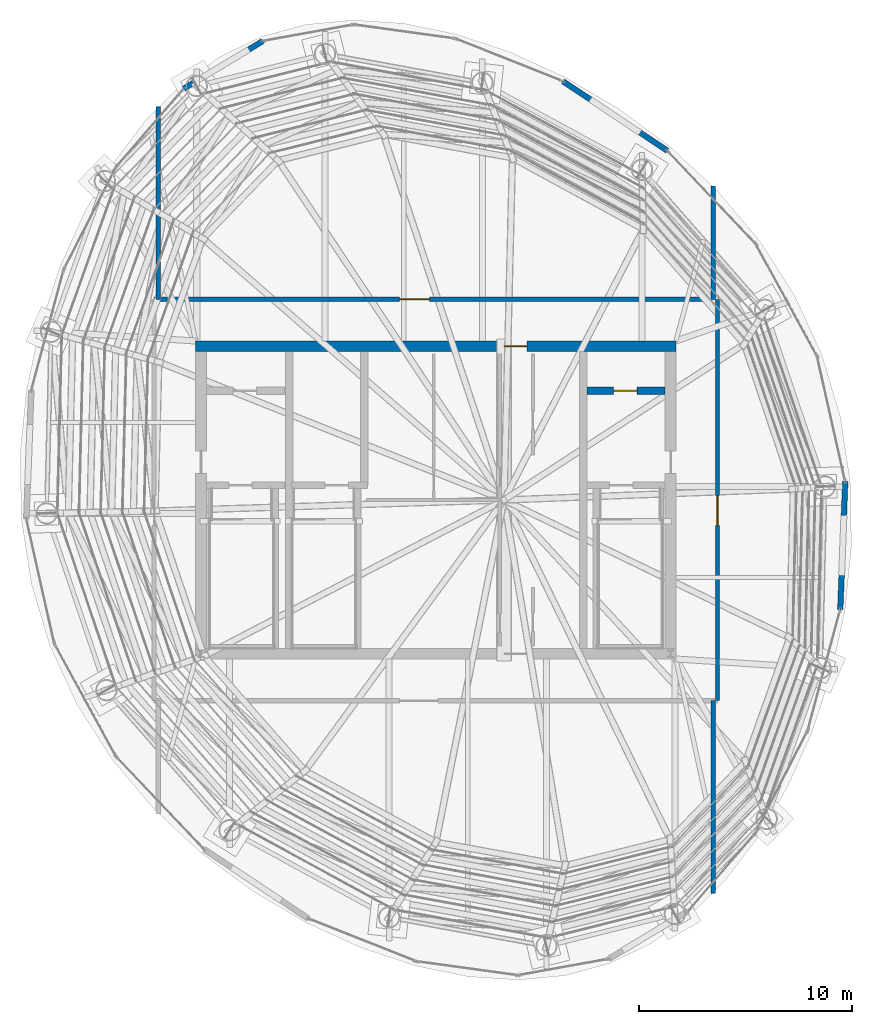
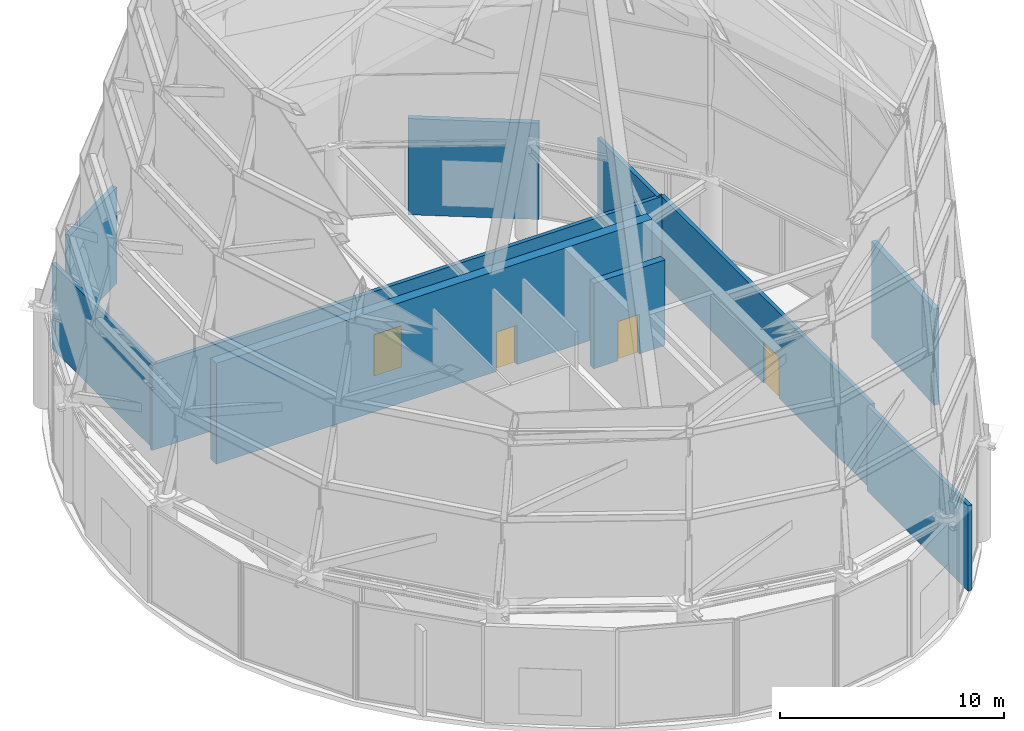
# One storey, part 39 of 40: 10 walls, 4 doors, 4 openings.
"""IFC4 building model written with IfcOpenShell, lengths in metres."""

from ifc_helpers import new_model, si_unit, direction, frame, frame_2d, origin, place, context, subcontext, project, spatial, rectangle, extrude, material, layer, layer_set, type_object, element, fill, save


model = new_model("IFC4")

# Units and contexts
model_context = context("Model", 3, precision=1e-05, world=origin(), true_north=direction((0.0, 1.0)))
body_context = subcontext(model_context, "Body", "Model", "MODEL_VIEW")
ifc_project = project(units=[si_unit("LENGTHUNIT", "METRE"), si_unit("AREAUNIT", "SQUARE_METRE"), si_unit("VOLUMEUNIT", "CUBIC_METRE"), si_unit("PLANEANGLEUNIT", "RADIAN"), si_unit("MASSUNIT", "GRAM", prefix="KILO")], contexts=[model_context])

# Site, building, storey
site_placement = place(None, origin())
site = spatial("IfcSite", under=ifc_project, at=site_placement, CompositionType="ELEMENT")
building_placement = place(site_placement, origin())
building = spatial("IfcBuilding", under=site, at=building_placement, Name="Bramvorn Convention Spire", CompositionType="ELEMENT")
storey_placement = place(building_placement, frame((0.0, 0.0, 312.5)))
storey = spatial("IfcBuildingStorey", under=building, at=storey_placement, Name="L79", CompositionType="ELEMENT", Elevation=312.5)

# Wall, opening, door
ifc_material_1 = material(Name="Concrete C50/60", Category="concrete")
ifc_layer_1 = layer(ifc_material_1, 0.5)
ifc_layer_set_1 = layer_set([ifc_layer_1], Name="Concrete C50/60 - WL-CORE-500")
wall_type_1 = type_object("IfcWallType", Name="WL-CORE-500", PredefinedType="SHEAR", material=ifc_layer_set_1)
wall_1_placement = place(storey_placement, frame((26.75, 33.199951171875, 0.0), z_axis=(0.0, 0.0, 1.0), x_axis=(1.0, 0.0, 0.0)))
wall_1 = element("IfcWall", 1, at=wall_1_placement, inside=storey, type_object=wall_type_1, Name="L79 North RC core shear wall", PredefinedType="SHEAR", context=body_context, shape_type="SweptSolid", body=[
    extrude(rectangle(XDim=22.5, YDim=0.5, at=frame_2d((11.25, 0.0))), origin(), (0.0, 0.0, 1.0), 5.5),
])
opening_1_placement = place(wall_1_placement, frame((14.469970703125, 0.0, 0.0)))
opening_1 = element("IfcOpeningElement", 2, at=opening_1_placement, cuts=wall_1, Name="Opening DL-105", PredefinedType="OPENING", context=body_context, shape_type="SweptSolid", body=[
    extrude(rectangle(XDim=1.050048828125, YDim=2.14990234375, at=frame_2d((0.52490234375, 1.074951171875))), frame((0.0, 0.260009765625, 0.0), z_axis=(0.0, -1.0, 0.0), x_axis=(1.0, 0.0, 0.0)), (0.0, 0.0, 1.0), 0.52001953125),
])
ifc_material_2 = material(Name="Smoke-Sealed Fire Lobby Timber-Core Door", Category="wood")
door_type_1 = type_object("IfcDoorType", Name="DR-LOBBY-1050", OperationType="NOTDEFINED", PredefinedType="DOOR", material=ifc_material_2)
door_1_placement = place(opening_1_placement, origin())
door_1 = element("IfcDoor", 3, at=door_1_placement, inside=storey, type_object=door_type_1, Name="L79 North Lift Lobby fire door", OperationType="SINGLE_SWING_LEFT", OverallHeight=2.14990234375, OverallWidth=1.050048828125, PredefinedType="DOOR", context=body_context, shape_type="SweptSolid", body=[
    extrude(rectangle(XDim=1.050048828125, YDim=2.14990234375, at=frame_2d((0.52490234375, 1.074951171875))), frame((0.0, 0.02490234375, 0.0), z_axis=(0.0, -1.0, 0.0), x_axis=(1.0, 0.0, 0.0)), (0.0, 0.0, 1.0), 0.050048828125),
])
fill(opening_1, door_1)

ifc_layer_2 = layer(ifc_material_1, 0.35009765625)
ifc_layer_set_2 = layer_set([ifc_layer_2], Name="Concrete C50/60 - WL-CORE-INT-350")
wall_type_2 = type_object("IfcWallType", Name="WL-CORE-INT-350", PredefinedType="SHEAR", material=ifc_layer_set_2)
wall_2_placement = place(storey_placement, frame((45.080078125, 31.1201171875, 0.0), z_axis=(0.0, 0.0, 1.0), x_axis=(1.0, 0.0, 0.0)))
wall_2 = element("IfcWall", 4, at=wall_2_placement, inside=storey, type_object=wall_type_2, Name="L79 FE2 shaft front wall", PredefinedType="SHEAR", context=body_context, shape_type="SweptSolid", body=[
    extrude(rectangle(XDim=3.669921875, YDim=0.35009765625, at=frame_2d((1.8349609375, 0.0))), origin(), (0.0, 0.0, 1.0), 4.6650390625),
])
opening_2_placement = place(wall_2_placement, frame((1.25, 0.0, 0.0)))
opening_2 = element("IfcOpeningElement", 5, at=opening_2_placement, cuts=wall_2, Name="Opening LD-110", PredefinedType="OPENING", context=body_context, shape_type="SweptSolid", body=[
    extrude(rectangle(XDim=1.10009765625, YDim=2.14990234375, at=frame_2d((0.550048828125, 1.074951171875))), frame((0.0, 0.18505859375, 0.0), z_axis=(0.0, -1.0, 0.0), x_axis=(1.0, 0.0, 0.0)), (0.0, 0.0, 1.0), 0.3701171875),
])
ifc_material_3 = material(Name="Firefighting & Service Lift Sliding Landing Door", Category="steel")
door_type_2 = type_object("IfcDoorType", Name="DR-LIFT-LD-1100", OperationType="NOTDEFINED", PredefinedType="DOOR", material=ifc_material_3)
door_2_placement = place(opening_2_placement, origin())
door_2 = element("IfcDoor", 6, at=door_2_placement, inside=storey, type_object=door_type_2, Name="L79 Lift FE2 Sliding Landing Door", OperationType="SLIDING_TO_LEFT", OverallHeight=2.14990234375, OverallWidth=1.10009765625, PredefinedType="DOOR", context=body_context, shape_type="SweptSolid", body=[
    extrude(rectangle(XDim=1.10009765625, YDim=2.14990234375, at=frame_2d((0.550048828125, 1.074951171875))), frame((0.0, 0.02490234375, 0.0), z_axis=(0.0, -1.0, 0.0), x_axis=(1.0, 0.0, 0.0)), (0.0, 0.0, 1.0), 0.050048828125),
])
fill(opening_2, door_2)

# Walls
ifc_material_4 = material(Name="Precast Concrete C40/50 Insulated Terrace Wall", Category="concrete")
ifc_layer_3 = layer(ifc_material_4, 0.280029296875)
ifc_layer_set_3 = layer_set([ifc_layer_3], Name="Precast Concrete C40/50 Insulated Terrace Wall - WL-EXT-TERR-280")
wall_type_3 = type_object("IfcWallType", Name="WL-EXT-TERR-280", PredefinedType="SOLIDWALL", material=ifc_layer_set_3)
wall_3_placement = place(storey_placement, frame((57.18505859375, 26.874267578125, 0.0), z_axis=(0.0, 0.0, 1.0), x_axis=(-0.03860147882, -0.999254685169, 0.0)))
element("IfcWall", 7, at=wall_3_placement, inside=storey, type_object=wall_type_3, Name="L79 plant floor acoustic louvre breast wall 05", PredefinedType="SOLIDWALL", context=body_context, shape_type="SweptSolid", body=[
    extrude(rectangle(XDim=6.0146484375, YDim=0.260009765625, at=frame_2d((3.00732421875, 0.0))), origin(), (0.0, 0.0, 1.0), 5.25),
])
wall_4_placement = place(storey_placement, frame((43.968017578125, 45.614013671875, 0.0), z_axis=(0.0, 0.0, 1.0), x_axis=(0.832613733637, -0.553854105843, 0.0)))
element("IfcWall", 8, at=wall_4_placement, inside=storey, type_object=wall_type_3, Name="L79 plant floor acoustic louvre breast wall 09", PredefinedType="SOLIDWALL", context=body_context, shape_type="SweptSolid", body=[
    extrude(rectangle(XDim=5.86181640625, YDim=0.260009765625, at=frame_2d((2.930908203125, 0.0))), origin(), (0.0, 0.0, 1.0), 5.25),
])
wall_5_placement = place(storey_placement, frame((26.186767578125, 45.268798828125, 0.0), z_axis=(0.0, 0.0, 1.0), x_axis=(0.856541339089, 0.516078418878, 0.0)))
element("IfcWall", 9, at=wall_5_placement, inside=storey, type_object=wall_type_3, Name="L79 plant floor acoustic louvre breast wall 13", PredefinedType="SOLIDWALL", context=body_context, shape_type="SweptSolid", body=[
    extrude(rectangle(XDim=4.33056640625, YDim=0.260009765625, at=frame_2d((2.165283203125, 0.0))), origin(), (0.0, 0.0, 1.0), 5.25),
])

# Wall, opening, door
ifc_material_5 = material(Name="Gypsum Shaftwall & Rockwool Core Partition", Category="gypsum")
ifc_layer_4 = layer(ifc_material_5, 0.199951171875)
ifc_layer_set_4 = layer_set([ifc_layer_4], Name="Gypsum Shaftwall & Rockwool Core Partition - WL-PART-200-FR")
wall_type_4 = type_object("IfcWallType", Name="WL-PART-200-FR", PredefinedType="PARTITIONING", material=ifc_layer_set_4)
wall_6_placement = place(storey_placement, frame((24.800048828125, 35.39990234375, 0.0), z_axis=(0.0, 0.0, 1.0), x_axis=(1.0, 0.0, 0.0)))
wall_6 = element("IfcWall", 10, at=wall_6_placement, inside=storey, type_object=wall_type_4, Name="L79 Plant corridor north wall", PredefinedType="PARTITIONING", context=body_context, shape_type="SweptSolid", body=[
    extrude(rectangle(XDim=26.39990234375, YDim=0.199951171875, at=frame_2d((13.199951171875, 0.0))), origin(), (0.0, 0.0, 1.0), 4.6650390625),
])
opening_3_placement = place(wall_6_placement, frame((11.5, 0.0, 0.0)))
opening_3 = element("IfcOpeningElement", 11, at=opening_3_placement, cuts=wall_6, Name="Opening DP-140", PredefinedType="OPENING", context=body_context, shape_type="SweptSolid", body=[
    extrude(rectangle(XDim=1.39990234375, YDim=2.25, at=frame_2d((0.699951171875, 1.125))), frame((0.0, 0.10986328125, 0.0), z_axis=(0.0, -1.0, 0.0), x_axis=(1.0, 0.0, 0.0)), (0.0, 0.0, 1.0), 0.219970703125),
])
ifc_material_6 = material(Name="Heavy-Duty Acoustic Louvre Plant Room Door", Category="steel")
door_type_3 = type_object("IfcDoorType", Name="DR-PLANT-1400", OperationType="NOTDEFINED", PredefinedType="DOOR", material=ifc_material_6)
door_3_placement = place(opening_3_placement, origin())
door_3 = element("IfcDoor", 12, at=door_3_placement, inside=storey, type_object=door_type_3, Name="L79 Dedicated Outdoor Air & ERV Plant door", OperationType="DOUBLE_DOOR_SINGLE_SWING", OverallHeight=2.25, OverallWidth=1.39990234375, PredefinedType="DOOR", context=body_context, shape_type="SweptSolid", body=[
    extrude(rectangle(XDim=1.39990234375, YDim=2.25, at=frame_2d((0.699951171875, 1.125))), frame((0.0, 0.02490234375, 0.0), z_axis=(0.0, -1.0, 0.0), x_axis=(1.0, 0.0, 0.0)), (0.0, 0.0, 1.0), 0.050048828125),
])
fill(opening_3, door_3)

wall_7_placement = place(storey_placement, frame((51.199951171875, 16.60009765625, 0.0), z_axis=(0.0, 0.0, 1.0), x_axis=(0.0, 1.0, 0.0)))
wall_7 = element("IfcWall", 13, at=wall_7_placement, inside=storey, type_object=wall_type_4, Name="L79 Plant corridor east wall", PredefinedType="PARTITIONING", context=body_context, shape_type="SweptSolid", body=[
    extrude(rectangle(XDim=18.7998046875, YDim=0.199951171875, at=frame_2d((9.39990234375, 0.0))), origin(), (0.0, 0.0, 1.0), 4.6650390625),
])
opening_4_placement = place(wall_7_placement, frame((8.199951171875, 0.0, 0.0)))
opening_4 = element("IfcOpeningElement", 14, at=opening_4_placement, cuts=wall_7, Name="Opening DP-140", PredefinedType="OPENING", context=body_context, shape_type="SweptSolid", body=[
    extrude(rectangle(XDim=1.39990234375, YDim=2.25, at=frame_2d((0.699951171875, 1.125))), frame((0.0, 0.10986328125, 0.0), z_axis=(0.0, -1.0, 0.0), x_axis=(1.0, 0.0, 0.0)), (0.0, 0.0, 1.0), 0.219970703125),
])
door_4_placement = place(opening_4_placement, origin())
door_4 = element("IfcDoor", 15, at=door_4_placement, inside=storey, type_object=door_type_3, Name="L79 High-Rise Electrical Substation & UPS door", OperationType="DOUBLE_DOOR_SINGLE_SWING", OverallHeight=2.25, OverallWidth=1.39990234375, PredefinedType="DOOR", context=body_context, shape_type="SweptSolid", body=[
    extrude(rectangle(XDim=1.39990234375, YDim=2.25, at=frame_2d((0.699951171875, 1.125))), frame((0.0, 0.02490234375, 0.0), z_axis=(0.0, -1.0, 0.0), x_axis=(1.0, 0.0, 0.0)), (0.0, 0.0, 1.0), 0.050048828125),
])
fill(opening_4, door_4)

# Walls
for number, where, z_axis, x_axis, name in (
    (16, (25.0, 35.39990234375, 0.0), (0.0, 0.0, 1.0), (0.0, 1.0, 0.0), "L79 Compartment fire wall"),
    (17, (51.0, 7.572998046875, 0.0), (0.0, 0.0, 1.0), (0.0, 1.0, 0.0), "L79 Compartment fire wall"),
):
    element("IfcWall", number, at=place(storey_placement, frame(where, z_axis=z_axis, x_axis=x_axis)), inside=storey, type_object=wall_type_4, Name=name, PredefinedType="PARTITIONING", context=body_context, shape_type="SweptSolid", body=[
        extrude(rectangle(XDim=9.027099609375, YDim=0.199951171875, at=frame_2d((4.513671875, 0.0))), origin(), (0.0, 0.0, 1.0), 4.6650390625),
    ])
wall_8_placement = place(storey_placement, frame((51.0, 35.39990234375, 0.0), z_axis=(0.0, 0.0, 1.0), x_axis=(0.0, 1.0, 0.0)))
element("IfcWall", 18, at=wall_8_placement, inside=storey, type_object=wall_type_4, Name="L79 Compartment fire wall", PredefinedType="PARTITIONING", context=body_context, shape_type="SweptSolid", body=[
    extrude(rectangle(XDim=5.31689453125, YDim=0.199951171875, at=frame_2d((2.658447265625, 0.0))), origin(), (0.0, 0.0, 1.0), 4.6650390625),
])

save(model, "model.ifc")
